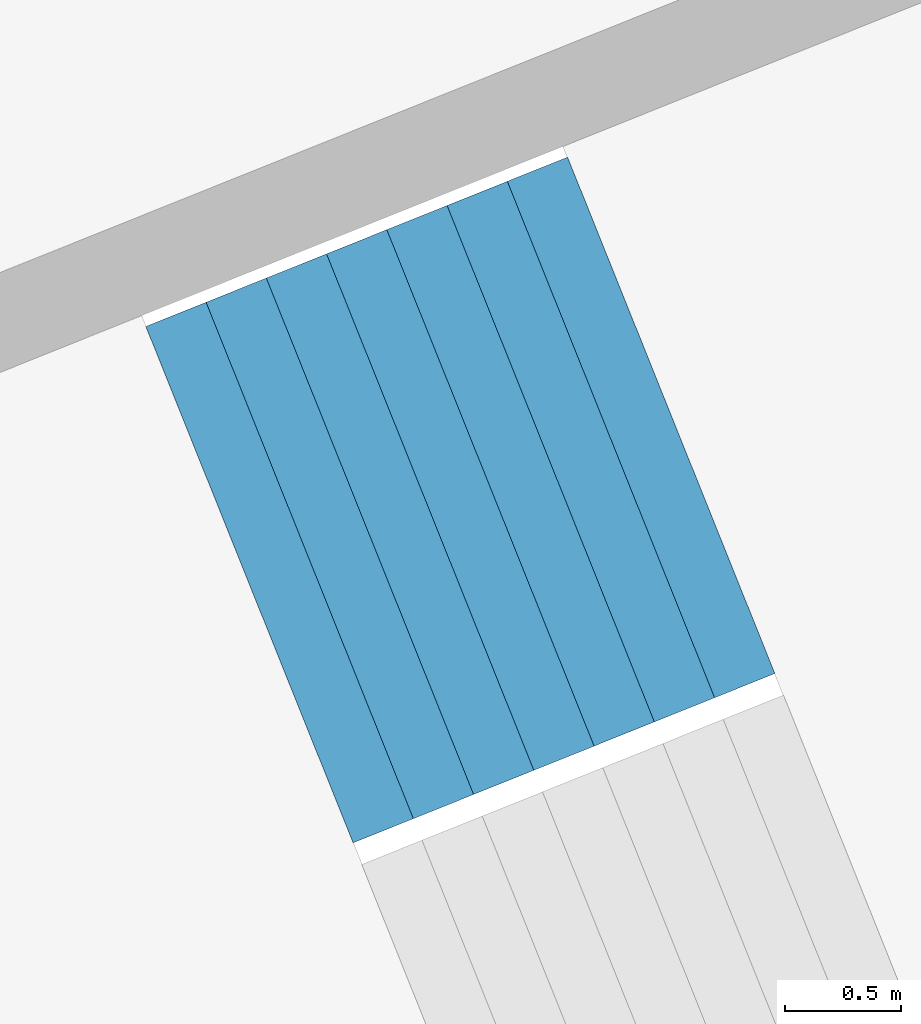
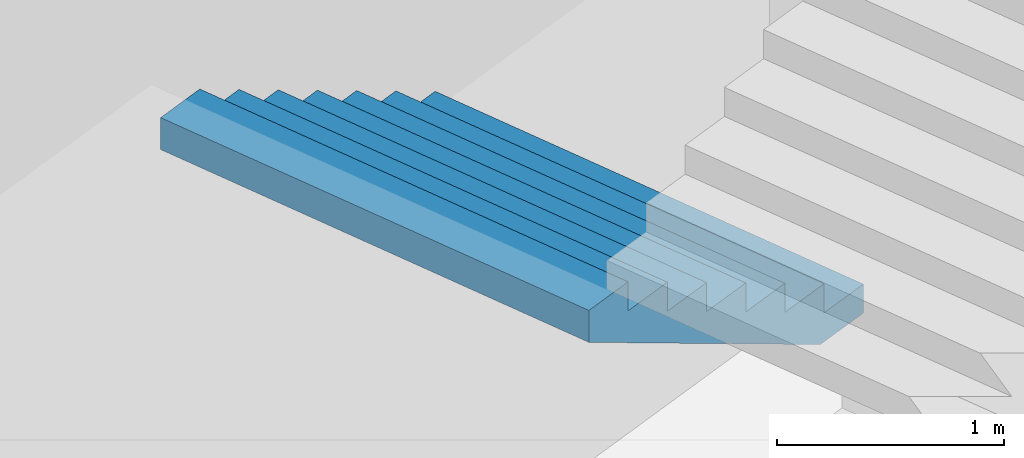
# One storey, part 22 of 73: 1 stair flight, 1 element without a shape of its own.
"""IFC4 building model written with IfcOpenShell, lengths in metres."""

from ifc_helpers import new_model, si_unit, direction, frame, origin, place, context, subcontext, project, spatial, triangles, material, type_object, element, aggregate, save


model = new_model("IFC4")

# Units and contexts
model_context = context("Model", 3, precision=1e-05, world=origin(), true_north=direction((0.0, 1.0)))
body_context = subcontext(model_context, "Body", "Model", "MODEL_VIEW")
ifc_project = project(units=[si_unit("LENGTHUNIT", "METRE"), si_unit("AREAUNIT", "SQUARE_METRE"), si_unit("VOLUMEUNIT", "CUBIC_METRE"), si_unit("PLANEANGLEUNIT", "RADIAN"), si_unit("MASSUNIT", "GRAM", prefix="KILO")], contexts=[model_context])

# Site, building, storey
site_placement = place(None, origin())
site = spatial("IfcSite", under=ifc_project, at=site_placement, CompositionType="ELEMENT")
building_placement = place(site_placement, origin())
building = spatial("IfcBuilding", under=site, at=building_placement, Name="Lantaw Convention Tower", CompositionType="ELEMENT")
storey_placement = place(building_placement, frame((0.0, 0.0, 27.0)))
storey = spatial("IfcBuildingStorey", under=building, at=storey_placement, Name="L04", CompositionType="ELEMENT", Elevation=27.0)

# Stair, stair flight
ifc_material = material(Name="Concrete C35/45", Category="concrete")
stair_type = type_object("IfcStairType", Name="Exit stair 2400 riser 156.25 in 4 flights", PredefinedType="HALF_TURN_STAIR", material=ifc_material)
stair_placement = place(storey_placement, origin())
stair = element("IfcStair", 1, at=stair_placement, inside=storey, type_object=stair_type, Name="Podium exit stair P11 L04", PredefinedType="HALF_TURN_STAIR")
stair_flight_type = type_object("IfcStairFlightType", Name="Stair flight 2400 riser 156.25", PredefinedType="STRAIGHT", material=ifc_material)
stair_flight_placement = place(storey_placement, frame((-30.017578125, -10.703369140625, 2.5), z_axis=(0.0, 0.0, 1.0), x_axis=(-0.928015168305, -0.372542410198, 0.0)))
stair_flight = element("IfcStairFlight", 2, at=stair_flight_placement, type_object=stair_flight_type, Name="P11 flight 3", NumberOfRisers=8, NumberOfTreads=7, PredefinedType="STRAIGHT", RiserHeight=0.15625, TreadLength=0.28, context=body_context, shape_type="Tessellation", body=[
    triangles([(0.0, 1.199951171875, 0.0), (0.0, 1.199951171875, 0.15625), (0.28, 1.199951171875, 0.0), (0.28, 1.199951171875, 0.15625), (0.28, 1.199951171875, 0.3125), (0.3076200632058044, 1.199951171875, 0.0), (0.3076200632058044, 1.199951171875, 0.3125), (0.56, 1.199951171875, 0.14083701830033238), (0.56, 1.199951171875, 0.3125), (0.56, 1.199951171875, 0.46875), (0.8400000000000001, 1.199951171875, 0.29708701830033235), (0.8400000000000001, 1.199951171875, 0.46875), (0.8400000000000001, 1.199951171875, 0.625), (1.12, 1.199951171875, 0.45333701830033235), (1.12, 1.199951171875, 0.625), (1.12, 1.199951171875, 0.78125), (1.4000000000000001, 1.199951171875, 0.6095870183003324), (1.4000000000000001, 1.199951171875, 0.78125), (1.4000000000000001, 1.199951171875, 0.9375), (1.6800000000000002, 1.199951171875, 0.7658370183003324), (1.6800000000000002, 1.199951171875, 0.9375), (1.6800000000000002, 1.199951171875, 1.09375), (1.9600000000000002, 1.199951171875, 0.9220870183003324), (1.9600000000000002, 1.199951171875, 1.09375), (0.0, -1.199951171875, 0.0), (0.0, -1.199951171875, 0.15625), (0.28, -1.199951171875, 0.0), (0.28, -1.199951171875, 0.15625), (0.28, -1.199951171875, 0.3125), (0.3076200632058044, -1.199951171875, 0.0), (0.3076200632058044, -1.199951171875, 0.3125), (0.56, -1.199951171875, 0.14083701830033238), (0.56, -1.199951171875, 0.3125), (0.56, -1.199951171875, 0.46875), (0.8400000000000001, -1.199951171875, 0.29708701830033235), (0.8400000000000001, -1.199951171875, 0.46875), (0.8400000000000001, -1.199951171875, 0.625), (1.12, -1.199951171875, 0.45333701830033235), (1.12, -1.199951171875, 0.625), (1.12, -1.199951171875, 0.78125), (1.4000000000000001, -1.199951171875, 0.6095870183003324), (1.4000000000000001, -1.199951171875, 0.78125), (1.4000000000000001, -1.199951171875, 0.9375), (1.6800000000000002, -1.199951171875, 0.7658370183003324), (1.6800000000000002, -1.199951171875, 0.9375), (1.6800000000000002, -1.199951171875, 1.09375), (1.9600000000000002, -1.199951171875, 0.9220870183003324), (1.9600000000000002, -1.199951171875, 1.09375), (0.0, 0.239990234375, 0.15625), (0.0, 0.239990234375, 0.0), (0.0, 0.1919921875, 0.15625), (0.0, 0.1919921875, 0.0), (0.0, 0.143994140625, 0.15625), (0.0, 0.143994140625, 0.0), (0.0, 0.09599609375, 0.15625), (0.0, 0.09599609375, 0.0), (0.0, 0.047998046875, 0.15625), (0.0, 0.047998046875, 0.0), (0.0, 0.0, 0.15625), (0.0, 0.0, 0.0), (0.0, -0.047998046875, 0.15625), (0.0, -0.047998046875, 0.0), (0.0, -0.09599609375, 0.15625), (0.0, -0.09599609375, 0.0), (0.0, -0.143994140625, 0.15625), (0.0, -0.143994140625, 0.0), (0.0, -0.1919921875, 0.15625), (0.0, -0.1919921875, 0.0), (0.0, -0.239990234375, 0.15625), (0.0, -0.239990234375, 0.0), (0.28, 0.239990234375, 0.3125), (0.28, 0.239990234375, 0.15625), (0.28, 0.1919921875, 0.3125), (0.28, 0.1919921875, 0.15625), (0.28, 0.143994140625, 0.3125), (0.28, 0.143994140625, 0.15625), (0.28, 0.09599609375, 0.3125), (0.28, 0.09599609375, 0.15625), (0.28, 0.047998046875, 0.3125), (0.28, 0.047998046875, 0.15625), (0.28, 0.0, 0.3125), (0.28, 0.0, 0.15625), (0.28, -0.047998046875, 0.3125), (0.28, -0.047998046875, 0.15625), (0.28, -0.09599609375, 0.3125), (0.28, -0.09599609375, 0.15625), (0.28, -0.143994140625, 0.3125), (0.28, -0.143994140625, 0.15625), (0.28, -0.1919921875, 0.3125), (0.28, -0.1919921875, 0.15625), (0.28, -0.239990234375, 0.3125), (0.28, -0.239990234375, 0.15625), (0.56, 0.239990234375, 0.46875), (0.56, 0.239990234375, 0.3125), (0.56, 0.1919921875, 0.46875), (0.56, 0.1919921875, 0.3125), (0.56, 0.143994140625, 0.46875), (0.56, 0.143994140625, 0.3125), (0.56, 0.09599609375, 0.46875), (0.56, 0.09599609375, 0.3125), (0.56, 0.047998046875, 0.46875), (0.56, 0.047998046875, 0.3125), (0.56, 0.0, 0.46875), (0.56, 0.0, 0.3125), (0.56, -0.047998046875, 0.46875), (0.56, -0.047998046875, 0.3125), (0.56, -0.09599609375, 0.46875), (0.56, -0.09599609375, 0.3125), (0.56, -0.143994140625, 0.46875), (0.56, -0.143994140625, 0.3125), (0.56, -0.1919921875, 0.46875), (0.56, -0.1919921875, 0.3125), (0.56, -0.239990234375, 0.46875), (0.56, -0.239990234375, 0.3125), (0.8400000000000001, 0.239990234375, 0.625), (0.8400000000000001, 0.239990234375, 0.46875), (0.8400000000000001, 0.1919921875, 0.625), (0.8400000000000001, 0.1919921875, 0.46875), (0.8400000000000001, 0.143994140625, 0.625), (0.8400000000000001, 0.143994140625, 0.46875), (0.8400000000000001, 0.09599609375, 0.625), (0.8400000000000001, 0.09599609375, 0.46875), (0.8400000000000001, 0.047998046875, 0.625), (0.8400000000000001, 0.047998046875, 0.46875), (0.8400000000000001, 0.0, 0.625), (0.8400000000000001, 0.0, 0.46875), (0.8400000000000001, -0.047998046875, 0.625), (0.8400000000000001, -0.047998046875, 0.46875), (0.8400000000000001, -0.09599609375, 0.625), (0.8400000000000001, -0.09599609375, 0.46875), (0.8400000000000001, -0.143994140625, 0.625), (0.8400000000000001, -0.143994140625, 0.46875), (0.8400000000000001, -0.1919921875, 0.625), (0.8400000000000001, -0.1919921875, 0.46875), (0.8400000000000001, -0.239990234375, 0.625), (0.8400000000000001, -0.239990234375, 0.46875), (1.12, 0.239990234375, 0.78125), (1.12, 0.239990234375, 0.625), (1.12, 0.1919921875, 0.78125), (1.12, 0.1919921875, 0.625), (1.12, 0.143994140625, 0.78125), (1.12, 0.143994140625, 0.625), (1.12, 0.09599609375, 0.78125), (1.12, 0.09599609375, 0.625), (1.12, 0.047998046875, 0.78125), (1.12, 0.047998046875, 0.625), (1.12, 0.0, 0.78125), (1.12, 0.0, 0.625), (1.12, -0.047998046875, 0.78125), (1.12, -0.047998046875, 0.625), (1.12, -0.09599609375, 0.78125), (1.12, -0.09599609375, 0.625), (1.12, -0.143994140625, 0.78125), (1.12, -0.143994140625, 0.625), (1.12, -0.1919921875, 0.78125), (1.12, -0.1919921875, 0.625), (1.12, -0.239990234375, 0.78125), (1.12, -0.239990234375, 0.625), (1.4000000000000001, 0.239990234375, 0.9375), (1.4000000000000001, 0.239990234375, 0.78125), (1.4000000000000001, 0.1919921875, 0.9375), (1.4000000000000001, 0.1919921875, 0.78125), (1.4000000000000001, 0.143994140625, 0.9375), (1.4000000000000001, 0.143994140625, 0.78125), (1.4000000000000001, 0.09599609375, 0.9375), (1.4000000000000001, 0.09599609375, 0.78125), (1.4000000000000001, 0.047998046875, 0.9375), (1.4000000000000001, 0.047998046875, 0.78125), (1.4000000000000001, 0.0, 0.9375), (1.4000000000000001, 0.0, 0.78125), (1.4000000000000001, -0.047998046875, 0.9375), (1.4000000000000001, -0.047998046875, 0.78125), (1.4000000000000001, -0.09599609375, 0.9375), (1.4000000000000001, -0.09599609375, 0.78125), (1.4000000000000001, -0.143994140625, 0.9375), (1.4000000000000001, -0.143994140625, 0.78125), (1.4000000000000001, -0.1919921875, 0.9375), (1.4000000000000001, -0.1919921875, 0.78125), (1.4000000000000001, -0.239990234375, 0.9375), (1.4000000000000001, -0.239990234375, 0.78125), (1.6800000000000002, 0.239990234375, 1.09375), (1.6800000000000002, 0.239990234375, 0.9375), (1.6800000000000002, 0.1919921875, 1.09375), (1.6800000000000002, 0.1919921875, 0.9375), (1.6800000000000002, 0.143994140625, 1.09375), (1.6800000000000002, 0.143994140625, 0.9375), (1.6800000000000002, 0.09599609375, 1.09375), (1.6800000000000002, 0.09599609375, 0.9375), (1.6800000000000002, 0.047998046875, 1.09375), (1.6800000000000002, 0.047998046875, 0.9375), (1.6800000000000002, 0.0, 1.09375), (1.6800000000000002, 0.0, 0.9375), (1.6800000000000002, -0.047998046875, 1.09375), (1.6800000000000002, -0.047998046875, 0.9375), (1.6800000000000002, -0.09599609375, 1.09375), (1.6800000000000002, -0.09599609375, 0.9375), (1.6800000000000002, -0.143994140625, 1.09375), (1.6800000000000002, -0.143994140625, 0.9375), (1.6800000000000002, -0.1919921875, 1.09375), (1.6800000000000002, -0.1919921875, 0.9375), (1.6800000000000002, -0.239990234375, 1.09375), (1.6800000000000002, -0.239990234375, 0.9375), (0.3076200632058044, 0.239990234375, 0.3125), (0.3076200632058044, 0.1919921875, 0.3125), (0.3076200632058044, 0.143994140625, 0.3125), (0.3076200632058044, 0.09599609375, 0.3125), (0.3076200632058044, 0.047998046875, 0.3125), (0.3076200632058044, 0.0, 0.3125), (0.3076200632058044, -0.047998046875, 0.3125), (0.3076200632058044, -0.09599609375, 0.3125), (0.3076200632058044, -0.143994140625, 0.3125), (0.3076200632058044, -0.1919921875, 0.3125), (0.3076200632058044, -0.239990234375, 0.3125), (1.9600000000000002, 0.239990234375, 1.09375), (1.9600000000000002, 0.1919921875, 1.09375), (1.9600000000000002, 0.143994140625, 1.09375), (1.9600000000000002, 0.09599609375, 1.09375), (1.9600000000000002, 0.047998046875, 1.09375), (1.9600000000000002, 0.0, 1.09375), (1.9600000000000002, -0.047998046875, 1.09375), (1.9600000000000002, -0.09599609375, 1.09375), (1.9600000000000002, -0.143994140625, 1.09375), (1.9600000000000002, -0.1919921875, 1.09375), (1.9600000000000002, -0.239990234375, 1.09375), (1.9600000000000002, 0.239990234375, 0.9220870183003324), (1.9600000000000002, 0.1919921875, 0.9220870183003324), (1.9600000000000002, 0.143994140625, 0.9220870183003324), (1.9600000000000002, 0.09599609375, 0.9220870183003324), (1.9600000000000002, 0.047998046875, 0.9220870183003324), (1.9600000000000002, 0.0, 0.9220870183003324), (1.9600000000000002, -0.047998046875, 0.9220870183003324), (1.9600000000000002, -0.09599609375, 0.9220870183003324), (1.9600000000000002, -0.143994140625, 0.9220870183003324), (1.9600000000000002, -0.1919921875, 0.9220870183003324), (1.9600000000000002, -0.239990234375, 0.9220870183003324), (1.6800000000000002, 0.239990234375, 0.7658370183003324), (1.6800000000000002, 0.1919921875, 0.7658370183003324), (1.6800000000000002, 0.143994140625, 0.7658370183003324), (1.6800000000000002, 0.09599609375, 0.7658370183003324), (1.6800000000000002, 0.047998046875, 0.7658370183003324), (1.6800000000000002, 0.0, 0.7658370183003324), (1.6800000000000002, -0.047998046875, 0.7658370183003324), (1.6800000000000002, -0.09599609375, 0.7658370183003324), (1.6800000000000002, -0.143994140625, 0.7658370183003324), (1.6800000000000002, -0.1919921875, 0.7658370183003324), (1.6800000000000002, -0.239990234375, 0.7658370183003324), (1.4000000000000001, 0.239990234375, 0.6095870183003324), (1.4000000000000001, 0.1919921875, 0.6095870183003324), (1.4000000000000001, 0.143994140625, 0.6095870183003324), (1.4000000000000001, 0.09599609375, 0.6095870183003324), (1.4000000000000001, 0.047998046875, 0.6095870183003324), (1.4000000000000001, 0.0, 0.6095870183003324), (1.4000000000000001, -0.047998046875, 0.6095870183003324), (1.4000000000000001, -0.09599609375, 0.6095870183003324), (1.4000000000000001, -0.143994140625, 0.6095870183003324), (1.4000000000000001, -0.1919921875, 0.6095870183003324), (1.4000000000000001, -0.239990234375, 0.6095870183003324), (1.12, 0.239990234375, 0.45333701830033235), (1.12, 0.1919921875, 0.45333701830033235), (1.12, 0.143994140625, 0.45333701830033235), (1.12, 0.09599609375, 0.45333701830033235), (1.12, 0.047998046875, 0.45333701830033235), (1.12, 0.0, 0.45333701830033235), (1.12, -0.047998046875, 0.45333701830033235), (1.12, -0.09599609375, 0.45333701830033235), (1.12, -0.143994140625, 0.45333701830033235), (1.12, -0.1919921875, 0.45333701830033235), (1.12, -0.239990234375, 0.45333701830033235), (0.8400000000000001, 0.239990234375, 0.29708701830033235), (0.8400000000000001, 0.1919921875, 0.29708701830033235), (0.8400000000000001, 0.143994140625, 0.29708701830033235), (0.8400000000000001, 0.09599609375, 0.29708701830033235), (0.8400000000000001, 0.047998046875, 0.29708701830033235), (0.8400000000000001, 0.0, 0.29708701830033235), (0.8400000000000001, -0.047998046875, 0.29708701830033235), (0.8400000000000001, -0.09599609375, 0.29708701830033235), (0.8400000000000001, -0.143994140625, 0.29708701830033235), (0.8400000000000001, -0.1919921875, 0.29708701830033235), (0.8400000000000001, -0.239990234375, 0.29708701830033235), (0.56, 0.239990234375, 0.14083701830033238), (0.56, 0.1919921875, 0.14083701830033238), (0.56, 0.143994140625, 0.14083701830033238), (0.56, 0.09599609375, 0.14083701830033238), (0.56, 0.047998046875, 0.14083701830033238), (0.56, 0.0, 0.14083701830033238), (0.56, -0.047998046875, 0.14083701830033238), (0.56, -0.09599609375, 0.14083701830033238), (0.56, -0.143994140625, 0.14083701830033238), (0.56, -0.1919921875, 0.14083701830033238), (0.56, -0.239990234375, 0.14083701830033238), (0.3076200632058044, 0.239990234375, 0.0), (0.3076200632058044, 0.1919921875, 0.0), (0.3076200632058044, 0.143994140625, 0.0), (0.3076200632058044, 0.09599609375, 0.0), (0.3076200632058044, 0.047998046875, 0.0), (0.3076200632058044, 0.0, 0.0), (0.3076200632058044, -0.047998046875, 0.0), (0.3076200632058044, -0.09599609375, 0.0), (0.3076200632058044, -0.143994140625, 0.0), (0.3076200632058044, -0.1919921875, 0.0), (0.3076200632058044, -0.239990234375, 0.0), (0.28, 0.239990234375, 0.0), (0.28, 0.1919921875, 0.0), (0.28, 0.143994140625, 0.0), (0.28, 0.09599609375, 0.0), (0.28, 0.047998046875, 0.0), (0.28, 0.0, 0.0), (0.28, -0.047998046875, 0.0), (0.28, -0.09599609375, 0.0), (0.28, -0.143994140625, 0.0), (0.28, -0.1919921875, 0.0), (0.28, -0.239990234375, 0.0)], [[1, 4, 3], [1, 2, 4], [3, 4, 6], [4, 7, 6], [4, 5, 7], [6, 9, 8], [6, 7, 9], [8, 9, 11], [9, 12, 11], [9, 10, 12], [11, 12, 14], [12, 15, 14], [12, 13, 15], [14, 15, 17], [15, 18, 17], [15, 16, 18], [17, 18, 20], [18, 21, 20], [18, 19, 21], [20, 21, 23], [21, 24, 23], [21, 22, 24], [25, 27, 28], [25, 28, 26], [27, 30, 28], [28, 30, 31], [28, 31, 29], [30, 32, 33], [30, 33, 31], [32, 35, 33], [33, 35, 36], [33, 36, 34], [35, 38, 36], [36, 38, 39], [36, 39, 37], [38, 41, 39], [39, 41, 42], [39, 42, 40], [41, 44, 42], [42, 44, 45], [42, 45, 43], [44, 47, 45], [45, 47, 48], [45, 48, 46], [1, 49, 2], [1, 50, 49], [50, 51, 49], [50, 52, 51], [52, 53, 51], [52, 54, 53], [54, 55, 53], [54, 56, 55], [56, 57, 55], [56, 58, 57], [58, 59, 57], [58, 60, 59], [60, 61, 59], [60, 62, 61], [62, 63, 61], [62, 64, 63], [64, 65, 63], [64, 66, 65], [66, 67, 65], [66, 68, 67], [68, 69, 67], [68, 70, 69], [70, 26, 69], [70, 25, 26], [4, 71, 5], [4, 72, 71], [72, 73, 71], [72, 74, 73], [74, 75, 73], [74, 76, 75], [76, 77, 75], [76, 78, 77], [78, 79, 77], [78, 80, 79], [80, 81, 79], [80, 82, 81], [82, 83, 81], [82, 84, 83], [84, 85, 83], [84, 86, 85], [86, 87, 85], [86, 88, 87], [88, 89, 87], [88, 90, 89], [90, 91, 89], [90, 92, 91], [92, 29, 91], [92, 28, 29], [9, 93, 10], [9, 94, 93], [94, 95, 93], [94, 96, 95], [96, 97, 95], [96, 98, 97], [98, 99, 97], [98, 100, 99], [100, 101, 99], [100, 102, 101], [102, 103, 101], [102, 104, 103], [104, 105, 103], [104, 106, 105], [106, 107, 105], [106, 108, 107], [108, 109, 107], [108, 110, 109], [110, 111, 109], [110, 112, 111], [112, 113, 111], [112, 114, 113], [114, 34, 113], [114, 33, 34], [12, 115, 13], [12, 116, 115], [116, 117, 115], [116, 118, 117], [118, 119, 117], [118, 120, 119], [120, 121, 119], [120, 122, 121], [122, 123, 121], [122, 124, 123], [124, 125, 123], [124, 126, 125], [126, 127, 125], [126, 128, 127], [128, 129, 127], [128, 130, 129], [130, 131, 129], [130, 132, 131], [132, 133, 131], [132, 134, 133], [134, 135, 133], [134, 136, 135], [136, 37, 135], [136, 36, 37], [15, 137, 16], [15, 138, 137], [138, 139, 137], [138, 140, 139], [140, 141, 139], [140, 142, 141], [142, 143, 141], [142, 144, 143], [144, 145, 143], [144, 146, 145], [146, 147, 145], [146, 148, 147], [148, 149, 147], [148, 150, 149], [150, 151, 149], [150, 152, 151], [152, 153, 151], [152, 154, 153], [154, 155, 153], [154, 156, 155], [156, 157, 155], [156, 158, 157], [158, 40, 157], [158, 39, 40], [18, 159, 19], [18, 160, 159], [160, 161, 159], [160, 162, 161], [162, 163, 161], [162, 164, 163], [164, 165, 163], [164, 166, 165], [166, 167, 165], [166, 168, 167], [168, 169, 167], [168, 170, 169], [170, 171, 169], [170, 172, 171], [172, 173, 171], [172, 174, 173], [174, 175, 173], [174, 176, 175], [176, 177, 175], [176, 178, 177], [178, 179, 177], [178, 180, 179], [180, 43, 179], [180, 42, 43], [21, 181, 22], [21, 182, 181], [182, 183, 181], [182, 184, 183], [184, 185, 183], [184, 186, 185], [186, 187, 185], [186, 188, 187], [188, 189, 187], [188, 190, 189], [190, 191, 189], [190, 192, 191], [192, 193, 191], [192, 194, 193], [194, 195, 193], [194, 196, 195], [196, 197, 195], [196, 198, 197], [198, 199, 197], [198, 200, 199], [200, 201, 199], [200, 202, 201], [202, 46, 201], [202, 45, 46], [2, 72, 4], [2, 49, 72], [49, 74, 72], [49, 51, 74], [51, 76, 74], [51, 53, 76], [53, 78, 76], [53, 55, 78], [55, 80, 78], [55, 57, 80], [57, 82, 80], [57, 59, 82], [59, 84, 82], [59, 61, 84], [61, 86, 84], [61, 63, 86], [63, 88, 86], [63, 65, 88], [65, 90, 88], [65, 67, 90], [67, 92, 90], [67, 69, 92], [69, 28, 92], [69, 26, 28], [5, 203, 7], [5, 71, 203], [71, 204, 203], [71, 73, 204], [73, 205, 204], [73, 75, 205], [75, 206, 205], [75, 77, 206], [77, 207, 206], [77, 79, 207], [79, 208, 207], [79, 81, 208], [81, 209, 208], [81, 83, 209], [83, 210, 209], [83, 85, 210], [85, 211, 210], [85, 87, 211], [87, 212, 211], [87, 89, 212], [89, 213, 212], [89, 91, 213], [91, 31, 213], [91, 29, 31], [7, 94, 9], [7, 203, 94], [203, 96, 94], [203, 204, 96], [204, 98, 96], [204, 205, 98], [205, 100, 98], [205, 206, 100], [206, 102, 100], [206, 207, 102], [207, 104, 102], [207, 208, 104], [208, 106, 104], [208, 209, 106], [209, 108, 106], [209, 210, 108], [210, 110, 108], [210, 211, 110], [211, 112, 110], [211, 212, 112], [212, 114, 112], [212, 213, 114], [213, 33, 114], [213, 31, 33], [10, 116, 12], [10, 93, 116], [93, 118, 116], [93, 95, 118], [95, 120, 118], [95, 97, 120], [97, 122, 120], [97, 99, 122], [99, 124, 122], [99, 101, 124], [101, 126, 124], [101, 103, 126], [103, 128, 126], [103, 105, 128], [105, 130, 128], [105, 107, 130], [107, 132, 130], [107, 109, 132], [109, 134, 132], [109, 111, 134], [111, 136, 134], [111, 113, 136], [113, 36, 136], [113, 34, 36], [13, 138, 15], [13, 115, 138], [115, 140, 138], [115, 117, 140], [117, 142, 140], [117, 119, 142], [119, 144, 142], [119, 121, 144], [121, 146, 144], [121, 123, 146], [123, 148, 146], [123, 125, 148], [125, 150, 148], [125, 127, 150], [127, 152, 150], [127, 129, 152], [129, 154, 152], [129, 131, 154], [131, 156, 154], [131, 133, 156], [133, 158, 156], [133, 135, 158], [135, 39, 158], [135, 37, 39], [16, 160, 18], [16, 137, 160], [137, 162, 160], [137, 139, 162], [139, 164, 162], [139, 141, 164], [141, 166, 164], [141, 143, 166], [143, 168, 166], [143, 145, 168], [145, 170, 168], [145, 147, 170], [147, 172, 170], [147, 149, 172], [149, 174, 172], [149, 151, 174], [151, 176, 174], [151, 153, 176], [153, 178, 176], [153, 155, 178], [155, 180, 178], [155, 157, 180], [157, 42, 180], [157, 40, 42], [19, 182, 21], [19, 159, 182], [159, 184, 182], [159, 161, 184], [161, 186, 184], [161, 163, 186], [163, 188, 186], [163, 165, 188], [165, 190, 188], [165, 167, 190], [167, 192, 190], [167, 169, 192], [169, 194, 192], [169, 171, 194], [171, 196, 194], [171, 173, 196], [173, 198, 196], [173, 175, 198], [175, 200, 198], [175, 177, 200], [177, 202, 200], [177, 179, 202], [179, 45, 202], [179, 43, 45], [22, 214, 24], [22, 181, 214], [181, 215, 214], [181, 183, 215], [183, 216, 215], [183, 185, 216], [185, 217, 216], [185, 187, 217], [187, 218, 217], [187, 189, 218], [189, 219, 218], [189, 191, 219], [191, 220, 219], [191, 193, 220], [193, 221, 220], [193, 195, 221], [195, 222, 221], [195, 197, 222], [197, 223, 222], [197, 199, 223], [199, 224, 223], [199, 201, 224], [201, 48, 224], [201, 46, 48], [24, 225, 23], [24, 214, 225], [214, 226, 225], [214, 215, 226], [215, 227, 226], [215, 216, 227], [216, 228, 227], [216, 217, 228], [217, 229, 228], [217, 218, 229], [218, 230, 229], [218, 219, 230], [219, 231, 230], [219, 220, 231], [220, 232, 231], [220, 221, 232], [221, 233, 232], [221, 222, 233], [222, 234, 233], [222, 223, 234], [223, 235, 234], [223, 224, 235], [224, 47, 235], [224, 48, 47], [23, 236, 20], [23, 225, 236], [225, 237, 236], [225, 226, 237], [226, 238, 237], [226, 227, 238], [227, 239, 238], [227, 228, 239], [228, 240, 239], [228, 229, 240], [229, 241, 240], [229, 230, 241], [230, 242, 241], [230, 231, 242], [231, 243, 242], [231, 232, 243], [232, 244, 243], [232, 233, 244], [233, 245, 244], [233, 234, 245], [234, 246, 245], [234, 235, 246], [235, 44, 246], [235, 47, 44], [20, 247, 17], [20, 236, 247], [236, 248, 247], [236, 237, 248], [237, 249, 248], [237, 238, 249], [238, 250, 249], [238, 239, 250], [239, 251, 250], [239, 240, 251], [240, 252, 251], [240, 241, 252], [241, 253, 252], [241, 242, 253], [242, 254, 253], [242, 243, 254], [243, 255, 254], [243, 244, 255], [244, 256, 255], [244, 245, 256], [245, 257, 256], [245, 246, 257], [246, 41, 257], [246, 44, 41], [17, 258, 14], [17, 247, 258], [247, 259, 258], [247, 248, 259], [248, 260, 259], [248, 249, 260], [249, 261, 260], [249, 250, 261], [250, 262, 261], [250, 251, 262], [251, 263, 262], [251, 252, 263], [252, 264, 263], [252, 253, 264], [253, 265, 264], [253, 254, 265], [254, 266, 265], [254, 255, 266], [255, 267, 266], [255, 256, 267], [256, 268, 267], [256, 257, 268], [257, 38, 268], [257, 41, 38], [14, 269, 11], [14, 258, 269], [258, 270, 269], [258, 259, 270], [259, 271, 270], [259, 260, 271], [260, 272, 271], [260, 261, 272], [261, 273, 272], [261, 262, 273], [262, 274, 273], [262, 263, 274], [263, 275, 274], [263, 264, 275], [264, 276, 275], [264, 265, 276], [265, 277, 276], [265, 266, 277], [266, 278, 277], [266, 267, 278], [267, 279, 278], [267, 268, 279], [268, 35, 279], [268, 38, 35], [11, 280, 8], [11, 269, 280], [269, 281, 280], [269, 270, 281], [270, 282, 281], [270, 271, 282], [271, 283, 282], [271, 272, 283], [272, 284, 283], [272, 273, 284], [273, 285, 284], [273, 274, 285], [274, 286, 285], [274, 275, 286], [275, 287, 286], [275, 276, 287], [276, 288, 287], [276, 277, 288], [277, 289, 288], [277, 278, 289], [278, 290, 289], [278, 279, 290], [279, 32, 290], [279, 35, 32], [8, 291, 6], [8, 280, 291], [280, 292, 291], [280, 281, 292], [281, 293, 292], [281, 282, 293], [282, 294, 293], [282, 283, 294], [283, 295, 294], [283, 284, 295], [284, 296, 295], [284, 285, 296], [285, 297, 296], [285, 286, 297], [286, 298, 297], [286, 287, 298], [287, 299, 298], [287, 288, 299], [288, 300, 299], [288, 289, 300], [289, 301, 300], [289, 290, 301], [290, 30, 301], [290, 32, 30], [6, 302, 3], [6, 291, 302], [291, 303, 302], [291, 292, 303], [292, 304, 303], [292, 293, 304], [293, 305, 304], [293, 294, 305], [294, 306, 305], [294, 295, 306], [295, 307, 306], [295, 296, 307], [296, 308, 307], [296, 297, 308], [297, 309, 308], [297, 298, 309], [298, 310, 309], [298, 299, 310], [299, 311, 310], [299, 300, 311], [300, 312, 311], [300, 301, 312], [301, 27, 312], [301, 30, 27], [3, 50, 1], [3, 302, 50], [302, 52, 50], [302, 303, 52], [303, 54, 52], [303, 304, 54], [304, 56, 54], [304, 305, 56], [305, 58, 56], [305, 306, 58], [306, 60, 58], [306, 307, 60], [307, 62, 60], [307, 308, 62], [308, 64, 62], [308, 309, 64], [309, 66, 64], [309, 310, 66], [310, 68, 66], [310, 311, 68], [311, 70, 68], [311, 312, 70], [312, 25, 70], [312, 27, 25]], closed=True),
])
aggregate(stair, [stair_flight])

save(model, "model.ifc")
